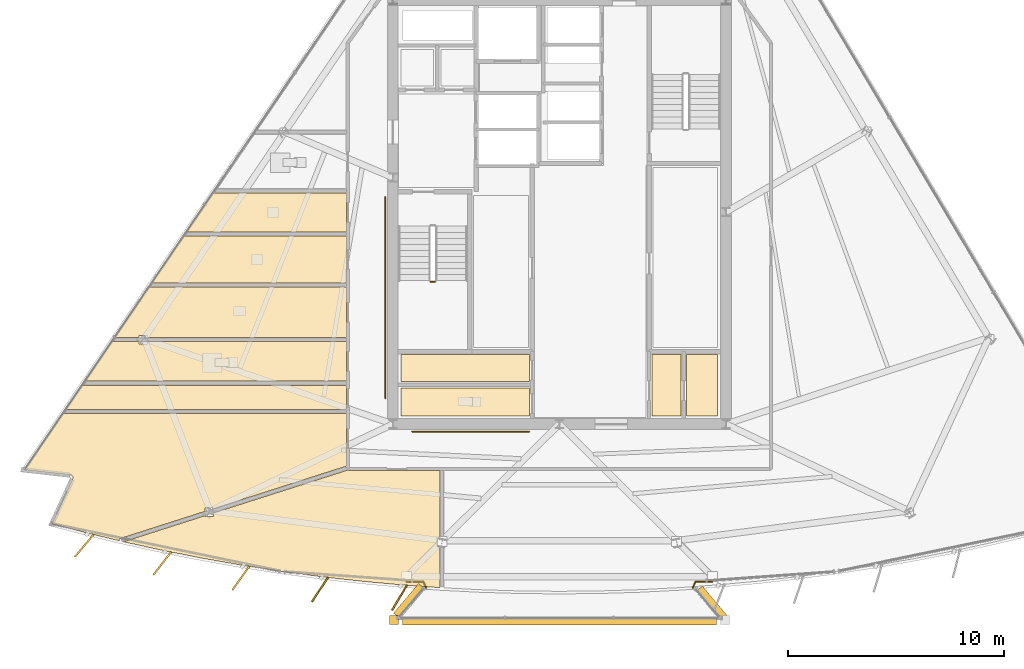
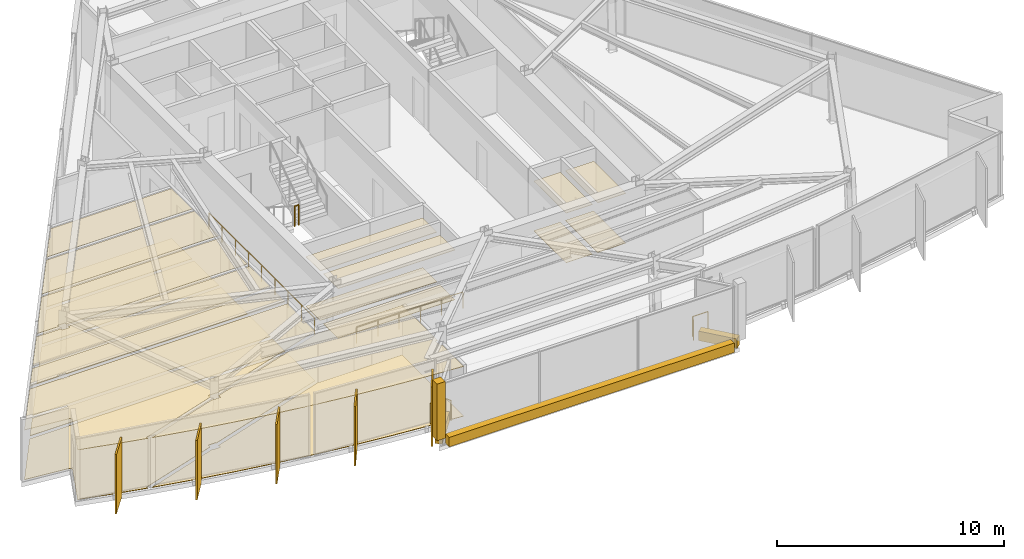
# One storey, part 11 of 14: 26 coverings, 5 railings, 5 shading devices.
"""IFC4 building model written with IfcOpenShell, lengths in metres."""

from ifc_helpers import new_model, si_unit, direction, frame, origin, origin_2d, place, context, subcontext, project, spatial, polyline, rectangle, circle, outline, extrude, material, layer, layer_set, type_object, element, save


model = new_model("IFC4")

# Units and contexts
model_context = context("Model", 3, precision=1e-05, world=origin(), true_north=direction((0.0, 1.0)))
body_context = subcontext(model_context, "Body", "Model", "MODEL_VIEW")
ifc_project = project(units=[si_unit("LENGTHUNIT", "METRE"), si_unit("AREAUNIT", "SQUARE_METRE"), si_unit("VOLUMEUNIT", "CUBIC_METRE"), si_unit("PLANEANGLEUNIT", "RADIAN"), si_unit("MASSUNIT", "GRAM", prefix="KILO")], contexts=[model_context])

# Site, building, storey
site_placement = place(None, origin())
site = spatial("IfcSite", under=ifc_project, at=site_placement, CompositionType="ELEMENT")
building_placement = place(site_placement, origin())
building = spatial("IfcBuilding", under=site, at=building_placement, Name="Savorim Split Tower", CompositionType="ELEMENT")
storey_placement = place(building_placement, frame((0.0, 0.0, 234.300048828125)))
storey = spatial("IfcBuildingStorey", under=building, at=storey_placement, Name="L62", CompositionType="ELEMENT", Elevation=234.300048828125)

# Coverings
ifc_material_1 = material(Name="Mineral Fibre Acoustic Ceiling")
ifc_layer_1 = layer(ifc_material_1, 0.02490234375)
ifc_layer_set_1 = layer_set([ifc_layer_1], Name="COV-CEIL-25")
covering_type_1 = type_object("IfcCoveringType", Name="COV-CEIL-25", PredefinedType="CEILING", material=ifc_layer_set_1)
covering_1_placement = place(storey_placement, frame((0.0, 0.0, 2.669921875)))
element("IfcCovering", 1, at=covering_1_placement, inside=storey, type_object=covering_type_1, Name="L62 Cleaning Store Acoustic Ceiling", PredefinedType="CEILING", context=body_context, shape_type="SweptSolid", body=[
    extrude(outline(polyline([(-7.320068359375, -6.179931640625), (-7.320068359375, -7.43994140625), (-1.3798828125, -7.43994140625), (-1.3798828125, -6.179931640625), (-7.320068359375, -6.179931640625)])), origin(), (0.0, 0.0, 1.0), 0.025146484375),
])
covering_2_placement = place(storey_placement, frame((0.0, 0.0, 2.669921875)))
element("IfcCovering", 2, at=covering_2_placement, inside=storey, type_object=covering_type_1, Name="L62 Public WC Acoustic Ceiling", PredefinedType="CEILING", context=body_context, shape_type="SweptSolid", body=[
    extrude(outline(polyline([(-7.320068359375, -7.719970703125), (-7.320068359375, -9.02001953125), (-1.3798828125, -9.02001953125), (-1.3798828125, -7.719970703125), (-7.320068359375, -7.719970703125)])), origin(), (0.0, 0.0, 1.0), 0.025146484375),
])
covering_3_placement = place(storey_placement, frame((0.0, 0.0, 2.669921875)))
element("IfcCovering", 3, at=covering_3_placement, inside=storey, type_object=covering_type_1, Name="L62 Vending Pantry Acoustic Ceiling", PredefinedType="CEILING", context=body_context, shape_type="SweptSolid", body=[
    extrude(outline(polyline([(4.280029296875, -6.179931640625), (4.280029296875, -9.02001953125), (5.6201171875, -9.02001953125), (5.6201171875, -6.179931640625), (4.280029296875, -6.179931640625)])), origin(), (0.0, 0.0, 1.0), 0.025146484375),
])
covering_4_placement = place(storey_placement, frame((0.0, 0.0, 2.669921875)))
element("IfcCovering", 4, at=covering_4_placement, inside=storey, type_object=covering_type_1, Name="L62 Recycling Chute Room Acoustic Ceiling", PredefinedType="CEILING", context=body_context, shape_type="SweptSolid", body=[
    extrude(outline(polyline([(5.8798828125, -6.179931640625), (5.8798828125, -9.02001953125), (7.320068359375, -9.02001953125), (7.320068359375, -6.179931640625), (5.8798828125, -6.179931640625)])), origin(), (0.0, 0.0, 1.0), 0.025146484375),
])
covering_5_placement = place(storey_placement, frame((0.0, 0.0, 2.669921875)))
element("IfcCovering", 5, at=covering_5_placement, inside=storey, type_object=covering_type_1, Name="L62 Shared Kitchen Acoustic Ceiling", PredefinedType="CEILING", context=body_context, shape_type="SweptSolid", body=[
    extrude(outline(polyline([(-16.013916015625, 1.292236328125), (-17.24560546875, -0.518310546875), (-9.840087890625, -0.518310546875), (-9.840087890625, 1.292236328125), (-16.013916015625, 1.292236328125)])), origin(), (0.0, 0.0, 1.0), 0.025146484375),
])
covering_6_placement = place(storey_placement, frame((0.0, 0.0, 2.669921875)))
element("IfcCovering", 6, at=covering_6_placement, inside=storey, type_object=covering_type_1, Name="L62 Community Laundry Room Acoustic Ceiling", PredefinedType="CEILING", context=body_context, shape_type="SweptSolid", body=[
    extrude(outline(polyline([(-17.374755859375, -0.708251953125), (-18.8466796875, -2.8720703125), (-9.840087890625, -2.8720703125), (-9.840087890625, -0.708251953125), (-17.374755859375, -0.708251953125)])), origin(), (0.0, 0.0, 1.0), 0.025146484375),
])
covering_7_placement = place(storey_placement, frame((0.0, 0.0, 2.669921875)))
element("IfcCovering", 7, at=covering_7_placement, inside=storey, type_object=covering_type_1, Name="L62 Community Laundry Room Acoustic Ceiling", PredefinedType="CEILING", context=body_context, shape_type="SweptSolid", body=[
    extrude(outline(polyline([(-19.052734375, -5.300048828125), (-19.052734375, -5.401123046875), (-9.840087890625, -5.401123046875), (-9.840087890625, -3.06201171875), (-18.97607421875, -3.06201171875), (-20.567138671875, -5.401123046875), (-19.44677734375, -5.401123046875), (-19.44677734375, -5.300048828125), (-19.052734375, -5.300048828125)])), origin(), (0.0, 0.0, 1.0), 0.025146484375),
])
covering_8_placement = place(storey_placement, frame((0.0, 0.0, 2.669921875)))
element("IfcCovering", 8, at=covering_8_placement, inside=storey, type_object=covering_type_1, Name="L62 Shared Bathroom Acoustic Ceiling", PredefinedType="CEILING", context=body_context, shape_type="SweptSolid", body=[
    extrude(outline(polyline([(-20.5712890625, -5.591064453125), (-20.66650390625, -5.591064453125), (-20.66650390625, -5.546875), (-21.938232421875, -7.41650390625), (-9.840087890625, -7.41650390625), (-9.840087890625, -5.591064453125), (-19.052734375, -5.591064453125), (-19.052734375, -5.692138671875), (-19.44677734375, -5.692138671875), (-19.44677734375, -5.591064453125), (-20.5712890625, -5.591064453125)])), origin(), (0.0, 0.0, 1.0), 0.025146484375),
])
covering_9_placement = place(storey_placement, frame((0.0, 0.0, 2.669921875)))
element("IfcCovering", 9, at=covering_9_placement, inside=storey, type_object=covering_type_1, Name="L62 Co-Living Bedroom Acoustic Ceiling", PredefinedType="CEILING", context=body_context, shape_type="SweptSolid", body=[
    extrude(outline(polyline([(-9.840087890625, -8.72509765625), (-9.840087890625, -7.6064453125), (-22.0673828125, -7.6064453125), (-22.82861328125, -8.72509765625), (-9.840087890625, -8.72509765625)])), origin(), (0.0, 0.0, 1.0), 0.025146484375),
])
covering_10_placement = place(storey_placement, frame((0.0, 0.0, 2.669921875)))
element("IfcCovering", 10, at=covering_10_placement, inside=storey, type_object=covering_type_1, Name="L62 Maker Workshop Acoustic Ceiling", PredefinedType="CEILING", context=body_context, shape_type="SweptSolid", body=[
    extrude(outline(polyline([(-22.49072265625, -11.86669921875), (-22.490478515625, -11.878662109375), (-22.491455078125, -11.890625), (-22.49365234375, -11.90234375), (-22.496826171875, -11.913818359375), (-22.50146484375, -11.9248046875), (-23.4599609375, -14.01123046875), (-21.8203125, -14.440185546875), (-20.32763671875, -14.798095703125), (-20.356689453125, -14.706787109375), (-16.3857421875, -13.4365234375), (-16.3857421875, -13.27734375), (-15.99169921875, -13.27734375), (-15.99169921875, -13.310546875), (-9.86279296875, -11.35009765625), (-9.840087890625, -11.3427734375), (-9.840087890625, -8.915283203125), (-22.957763671875, -8.915283203125), (-24.72802734375, -11.517578125), (-22.59716796875, -11.755615234375), (-22.585205078125, -11.757568359375), (-22.57373046875, -11.760498046875), (-22.5625, -11.7646484375), (-22.552001953125, -11.77001953125), (-22.541748046875, -11.7763671875), (-22.5322265625, -11.78369140625), (-22.523681640625, -11.7919921875), (-22.515869140625, -11.80078125), (-22.509033203125, -11.810546875), (-22.503173828125, -11.821044921875), (-22.498291015625, -11.831787109375), (-22.49462890625, -11.84326171875), (-22.4921875, -11.85498046875), (-22.49072265625, -11.86669921875)])), origin(), (0.0, 0.0, 1.0), 0.025146484375),
])
covering_11_placement = place(storey_placement, frame((0.0, 0.0, 2.669921875)))
element("IfcCovering", 11, at=covering_11_placement, inside=storey, type_object=covering_type_1, Name="L62 Communal Lounge Acoustic Ceiling", PredefinedType="CEILING", context=body_context, shape_type="SweptSolid", body=[
    extrude(outline(polyline([(-12.8134765625, -16.21337890625), (-10.992919921875, -16.45703125), (-9.167724609375, -16.663330078125), (-7.3388671875, -16.832275390625), (-5.520751953125, -16.962646484375), (-5.520751953125, -15.05126953125), (-5.622802734375, -15.05126953125), (-5.622802734375, -14.6591796875), (-5.520751953125, -14.6591796875), (-5.520751953125, -11.5400390625), (-9.699951171875, -11.5400390625), (-9.713623046875, -11.539306640625), (-9.727294921875, -11.537353515625), (-9.740478515625, -11.533935546875), (-9.753662109375, -11.529296875), (-9.76611328125, -11.5234375), (-9.771240234375, -11.520263671875), (-15.99169921875, -13.510009765625), (-15.99169921875, -13.669189453125), (-16.3857421875, -13.669189453125), (-16.3857421875, -13.635986328125), (-20.15087890625, -14.84033203125), (-20.0341796875, -14.868408203125), (-18.23974609375, -15.260009765625), (-16.4375, -15.61474609375), (-14.62841796875, -15.9326171875), (-12.8134765625, -16.21337890625)])), origin(), (0.0, 0.0, 1.0), 0.025146484375),
])
ifc_material_2 = material(Name="Porcelain Stoneware Flooring", Category="masonry")
ifc_layer_2 = layer(ifc_material_2, 0.02001953125)
ifc_layer_set_2 = layer_set([ifc_layer_2], Name="COV-FLOR-20")
covering_type_2 = type_object("IfcCoveringType", Name="COV-FLOR-20", PredefinedType="FLOORING", material=ifc_layer_set_2)
covering_12_placement = place(storey_placement, origin())
element("IfcCovering", 12, at=covering_12_placement, inside=storey, type_object=covering_type_2, Name="L62 Cleaning Store Porcelain Flooring", PredefinedType="FLOORING", context=body_context, shape_type="SweptSolid", body=[
    extrude(outline(polyline([(-7.320068359375, -6.179931640625), (-7.320068359375, -7.43994140625), (-1.3798828125, -7.43994140625), (-1.3798828125, -6.179931640625), (-7.320068359375, -6.179931640625)])), origin(), (0.0, 0.0, 1.0), 0.02001953125),
])
covering_13_placement = place(storey_placement, origin())
element("IfcCovering", 13, at=covering_13_placement, inside=storey, type_object=covering_type_2, Name="L62 Public WC Porcelain Flooring", PredefinedType="FLOORING", context=body_context, shape_type="SweptSolid", body=[
    extrude(outline(polyline([(-7.320068359375, -7.719970703125), (-7.320068359375, -9.02001953125), (-1.3798828125, -9.02001953125), (-1.3798828125, -7.719970703125), (-7.320068359375, -7.719970703125)])), origin(), (0.0, 0.0, 1.0), 0.02001953125),
])
covering_14_placement = place(storey_placement, origin())
element("IfcCovering", 14, at=covering_14_placement, inside=storey, type_object=covering_type_2, Name="L62 Vending Pantry Porcelain Flooring", PredefinedType="FLOORING", context=body_context, shape_type="SweptSolid", body=[
    extrude(outline(polyline([(4.280029296875, -6.179931640625), (4.280029296875, -9.02001953125), (5.6201171875, -9.02001953125), (5.6201171875, -6.179931640625), (4.280029296875, -6.179931640625)])), origin(), (0.0, 0.0, 1.0), 0.02001953125),
])
covering_15_placement = place(storey_placement, origin())
element("IfcCovering", 15, at=covering_15_placement, inside=storey, type_object=covering_type_2, Name="L62 Recycling Chute Room Porcelain Flooring", PredefinedType="FLOORING", context=body_context, shape_type="SweptSolid", body=[
    extrude(outline(polyline([(5.8798828125, -6.179931640625), (5.8798828125, -9.02001953125), (7.320068359375, -9.02001953125), (7.320068359375, -6.179931640625), (5.8798828125, -6.179931640625)])), origin(), (0.0, 0.0, 1.0), 0.02001953125),
])
covering_16_placement = place(storey_placement, origin())
element("IfcCovering", 16, at=covering_16_placement, inside=storey, type_object=covering_type_2, Name="L62 Shared Kitchen Porcelain Flooring", PredefinedType="FLOORING", context=body_context, shape_type="SweptSolid", body=[
    extrude(outline(polyline([(-16.013916015625, 1.292236328125), (-17.24560546875, -0.518310546875), (-9.840087890625, -0.518310546875), (-9.840087890625, 1.292236328125), (-16.013916015625, 1.292236328125)])), origin(), (0.0, 0.0, 1.0), 0.02001953125),
])
covering_17_placement = place(storey_placement, origin())
element("IfcCovering", 17, at=covering_17_placement, inside=storey, type_object=covering_type_2, Name="L62 Community Laundry Room Porcelain Flooring", PredefinedType="FLOORING", context=body_context, shape_type="SweptSolid", body=[
    extrude(outline(polyline([(-17.374755859375, -0.708251953125), (-18.8466796875, -2.8720703125), (-9.840087890625, -2.8720703125), (-9.840087890625, -0.708251953125), (-17.374755859375, -0.708251953125)])), origin(), (0.0, 0.0, 1.0), 0.02001953125),
])
covering_18_placement = place(storey_placement, origin())
element("IfcCovering", 18, at=covering_18_placement, inside=storey, type_object=covering_type_2, Name="L62 Community Laundry Room Porcelain Flooring", PredefinedType="FLOORING", context=body_context, shape_type="SweptSolid", body=[
    extrude(outline(polyline([(-19.052734375, -5.300048828125), (-19.052734375, -5.401123046875), (-9.840087890625, -5.401123046875), (-9.840087890625, -3.06201171875), (-18.97607421875, -3.06201171875), (-20.567138671875, -5.401123046875), (-19.44677734375, -5.401123046875), (-19.44677734375, -5.300048828125), (-19.052734375, -5.300048828125)])), origin(), (0.0, 0.0, 1.0), 0.02001953125),
])
covering_19_placement = place(storey_placement, origin())
element("IfcCovering", 19, at=covering_19_placement, inside=storey, type_object=covering_type_2, Name="L62 Shared Bathroom Porcelain Flooring", PredefinedType="FLOORING", context=body_context, shape_type="SweptSolid", body=[
    extrude(outline(polyline([(-20.5712890625, -5.591064453125), (-20.66650390625, -5.591064453125), (-20.66650390625, -5.546875), (-21.938232421875, -7.41650390625), (-9.840087890625, -7.41650390625), (-9.840087890625, -5.591064453125), (-19.052734375, -5.591064453125), (-19.052734375, -5.692138671875), (-19.44677734375, -5.692138671875), (-19.44677734375, -5.591064453125), (-20.5712890625, -5.591064453125)])), origin(), (0.0, 0.0, 1.0), 0.02001953125),
])
covering_20_placement = place(storey_placement, origin())
element("IfcCovering", 20, at=covering_20_placement, inside=storey, type_object=covering_type_2, Name="L62 Co-Living Bedroom Porcelain Flooring", PredefinedType="FLOORING", context=body_context, shape_type="SweptSolid", body=[
    extrude(outline(polyline([(-9.840087890625, -8.72509765625), (-9.840087890625, -7.6064453125), (-22.0673828125, -7.6064453125), (-22.82861328125, -8.72509765625), (-9.840087890625, -8.72509765625)])), origin(), (0.0, 0.0, 1.0), 0.02001953125),
])
covering_21_placement = place(storey_placement, origin())
element("IfcCovering", 21, at=covering_21_placement, inside=storey, type_object=covering_type_2, Name="L62 Maker Workshop Porcelain Flooring", PredefinedType="FLOORING", context=body_context, shape_type="SweptSolid", body=[
    extrude(outline(polyline([(-22.49072265625, -11.86669921875), (-22.490478515625, -11.878662109375), (-22.491455078125, -11.890625), (-22.49365234375, -11.90234375), (-22.496826171875, -11.913818359375), (-22.50146484375, -11.9248046875), (-23.4599609375, -14.01123046875), (-21.8203125, -14.440185546875), (-20.32763671875, -14.798095703125), (-20.356689453125, -14.706787109375), (-16.3857421875, -13.4365234375), (-16.3857421875, -13.27734375), (-15.99169921875, -13.27734375), (-15.99169921875, -13.310546875), (-9.86279296875, -11.35009765625), (-9.840087890625, -11.3427734375), (-9.840087890625, -8.915283203125), (-22.957763671875, -8.915283203125), (-24.72802734375, -11.517578125), (-22.59716796875, -11.755615234375), (-22.585205078125, -11.757568359375), (-22.57373046875, -11.760498046875), (-22.5625, -11.7646484375), (-22.552001953125, -11.77001953125), (-22.541748046875, -11.7763671875), (-22.5322265625, -11.78369140625), (-22.523681640625, -11.7919921875), (-22.515869140625, -11.80078125), (-22.509033203125, -11.810546875), (-22.503173828125, -11.821044921875), (-22.498291015625, -11.831787109375), (-22.49462890625, -11.84326171875), (-22.4921875, -11.85498046875), (-22.49072265625, -11.86669921875)])), origin(), (0.0, 0.0, 1.0), 0.02001953125),
])
covering_22_placement = place(storey_placement, origin())
element("IfcCovering", 22, at=covering_22_placement, inside=storey, type_object=covering_type_2, Name="L62 Communal Lounge Porcelain Flooring", PredefinedType="FLOORING", context=body_context, shape_type="SweptSolid", body=[
    extrude(outline(polyline([(-12.8134765625, -16.21337890625), (-10.992919921875, -16.45703125), (-9.167724609375, -16.663330078125), (-7.3388671875, -16.832275390625), (-5.520751953125, -16.962646484375), (-5.520751953125, -15.05126953125), (-5.622802734375, -15.05126953125), (-5.622802734375, -14.6591796875), (-5.520751953125, -14.6591796875), (-5.520751953125, -11.5400390625), (-9.699951171875, -11.5400390625), (-9.713623046875, -11.539306640625), (-9.727294921875, -11.537353515625), (-9.740478515625, -11.533935546875), (-9.753662109375, -11.529296875), (-9.76611328125, -11.5234375), (-9.771240234375, -11.520263671875), (-15.99169921875, -13.510009765625), (-15.99169921875, -13.669189453125), (-16.3857421875, -13.669189453125), (-16.3857421875, -13.635986328125), (-20.15087890625, -14.84033203125), (-20.0341796875, -14.868408203125), (-18.23974609375, -15.260009765625), (-16.4375, -15.61474609375), (-14.62841796875, -15.9326171875), (-12.8134765625, -16.21337890625)])), origin(), (0.0, 0.0, 1.0), 0.02001953125),
])
ifc_material_3 = material(Name="White Porcelain Architectural Cladding")
ifc_layer_3 = layer(ifc_material_3, 0.139892578125)
ifc_layer_set_3 = layer_set([ifc_layer_3], Name="COV-FRM-WHITE")
covering_type_3 = type_object("IfcCoveringType", Name="COV-FRM-WHITE", PredefinedType="CLADDING", material=ifc_layer_set_3)
covering_23_placement = place(storey_placement, frame((0.0, 0.0, 0.010009765625)))
element("IfcCovering", 23, at=covering_23_placement, inside=storey, type_object=covering_type_3, Name="L62 Cantilevered Lounge White Lower Frame Band W", PredefinedType="CLADDING", context=body_context, shape_type="SweptSolid", body=[
    extrude(outline(polyline([(-6.50634765625, -16.7666015625), (-7.66748046875, -18.142333984375), (-7.40771484375, -18.361572265625), (-6.24658203125, -16.986083984375), (-6.50634765625, -16.7666015625)])), origin(), (0.0, 0.0, 1.0), 0.510009765625),
])
covering_24_placement = place(storey_placement, frame((0.0, 0.0, 0.010009765625)))
element("IfcCovering", 24, at=covering_24_placement, inside=storey, type_object=covering_type_3, Name="L62 Cantilevered Lounge White Lower Frame Band F", PredefinedType="CLADDING", context=body_context, shape_type="SweptSolid", body=[
    extrude(outline(polyline([(-7.254150390625, -18.6875), (7.254150390625, -18.6875), (7.254150390625, -18.34765625), (-7.254150390625, -18.34765625), (-7.254150390625, -18.6875)])), origin(), (0.0, 0.0, 1.0), 0.510009765625),
])
covering_25_placement = place(storey_placement, frame((0.0, 0.0, 0.010009765625)))
element("IfcCovering", 25, at=covering_25_placement, inside=storey, type_object=covering_type_3, Name="L62 Cantilevered Lounge White Lower Frame Band E", PredefinedType="CLADDING", context=body_context, shape_type="SweptSolid", body=[
    extrude(outline(polyline([(7.7705078125, -18.2646484375), (6.609619140625, -16.888916015625), (6.349609375, -17.1083984375), (7.5107421875, -18.48388671875), (7.7705078125, -18.2646484375)])), origin(), (0.0, 0.0, 1.0), 0.510009765625),
])
covering_26_placement = place(storey_placement, frame((0.0, 0.0, 0.5400390625)))
element("IfcCovering", 26, at=covering_26_placement, inside=storey, type_object=covering_type_3, Name="L62 Cantilevered Lounge White Frame Corner Post 1", PredefinedType="CLADDING", context=body_context, shape_type="SweptSolid", body=[
    extrude(outline(polyline([(-7.864013671875, -18.677490234375), (-7.444091796875, -18.677490234375), (-7.444091796875, -18.257568359375), (-7.864013671875, -18.257568359375), (-7.864013671875, -18.677490234375)])), origin(), (0.0, 0.0, 1.0), 3.0498046875),
])

# Railings
ifc_material_4 = material(Name="Galvanised Painted Steel Balustrade", Category="steel")
railing_type_1 = type_object("IfcRailingType", Name="RLG-BAL-1100", PredefinedType="BALUSTRADE", material=ifc_material_4)
railing_1_placement = place(storey_placement, frame((-7.066650390625, -16.697509765625, 0.0)))
element("IfcRailing", 27, at=railing_1_placement, inside=storey, type_object=railing_type_1, Name="L62 Cantilevered Lounge West Edge Closure Guard", PredefinedType="BALUSTRADE", context=body_context, shape_type="SweptSolid", body=[
    extrude(circle(Radius=0.02392578125, at=origin_2d()), frame((0.0, 0.0, 1.076171875), z_axis=(1.0, 0.0, 0.0), x_axis=(0.0, 1.0, 0.0)), (0.0, 0.0, 1.0), 0.780029296875),
    extrude(circle(Radius=0.02392578125, at=origin_2d()), frame((0.780029296875, 0.0, 1.076171875), z_axis=(0.41234329917, -0.911028541611, 0.0), x_axis=(0.911028541611, 0.41234329917, 0.0)), (0.0, 0.0, 1.0), 0.302490234375),
    extrude(circle(Radius=0.02099609375, at=origin_2d()), origin(), (0.0, 0.0, 1.0), 1.052001953125),
    extrude(circle(Radius=0.02099609375, at=origin_2d()), frame((0.780029296875, 0.0, 0.0)), (0.0, 0.0, 1.0), 1.052001953125),
    extrude(circle(Radius=0.02099609375, at=origin_2d()), frame((0.90478515625, -0.275634765625, 0.0)), (0.0, 0.0, 1.0), 1.052001953125),
])
railing_2_placement = place(storey_placement, frame((6.161865234375, -16.97314453125, 0.0)))
element("IfcRailing", 28, at=railing_2_placement, inside=storey, type_object=railing_type_1, Name="L62 Cantilevered Lounge East Edge Closure Guard", PredefinedType="BALUSTRADE", context=body_context, shape_type="SweptSolid", body=[
    extrude(circle(Radius=0.02392578125, at=origin_2d()), frame((0.0, 0.0, 1.076171875), z_axis=(0.41234329917, 0.911028541611, 0.0), x_axis=(-0.911028541611, 0.41234329917, 0.0)), (0.0, 0.0, 1.0), 0.302490234375),
    extrude(circle(Radius=0.02392578125, at=origin_2d()), frame((0.124755859375, 0.275634765625, 1.076171875), z_axis=(1.0, 0.0, 0.0), x_axis=(0.0, 1.0, 0.0)), (0.0, 0.0, 1.0), 0.780029296875),
    extrude(circle(Radius=0.02099609375, at=origin_2d()), origin(), (0.0, 0.0, 1.0), 1.052001953125),
    extrude(circle(Radius=0.02099609375, at=origin_2d()), frame((0.124755859375, 0.275634765625, 0.0)), (0.0, 0.0, 1.0), 1.052001953125),
    extrude(circle(Radius=0.02099609375, at=origin_2d()), frame((0.90478515625, 0.275634765625, 0.0)), (0.0, 0.0, 1.0), 1.052001953125),
])
railing_type_2 = type_object("IfcRailingType", Name="RLG-HR-900", PredefinedType="HANDRAIL", material=ifc_material_4)
railing_3_placement = place(storey_placement, frame((-6.800048828125, -9.75, 0.0)))
element("IfcRailing", 29, at=railing_3_placement, inside=storey, type_object=railing_type_2, Name="L62 Corridor South Accessible Handrail", PredefinedType="HANDRAIL", context=body_context, shape_type="SweptSolid", body=[
    extrude(circle(Radius=0.02392578125, at=origin_2d()), frame((0.0, 0.0, 0.8759765625), z_axis=(1.0, 0.0, 0.0), x_axis=(0.0, 1.0, 0.0)), (0.0, 0.0, 1.0), 5.400146484375),
    extrude(circle(Radius=0.02099609375, at=origin_2d()), origin(), (0.0, 0.0, 1.0), 0.851806640625),
    extrude(circle(Radius=0.02099609375, at=origin_2d()), frame((1.080078125, 0.0, 0.0)), (0.0, 0.0, 1.0), 0.851806640625),
    extrude(circle(Radius=0.02099609375, at=origin_2d()), frame((2.16015625, 0.0, 0.0)), (0.0, 0.0, 1.0), 0.851806640625),
    extrude(circle(Radius=0.02099609375, at=origin_2d()), frame((3.239990234375, 0.0, 0.0)), (0.0, 0.0, 1.0), 0.851806640625),
    extrude(circle(Radius=0.02099609375, at=origin_2d()), frame((4.320068359375, 0.0, 0.0)), (0.0, 0.0, 1.0), 0.851806640625),
    extrude(circle(Radius=0.02099609375, at=origin_2d()), frame((5.400146484375, 0.0, 0.0)), (0.0, 0.0, 1.0), 0.851806640625),
])
railing_4_placement = place(storey_placement, frame((-8.050048828125, -8.199951171875, 0.0)))
element("IfcRailing", 30, at=railing_4_placement, inside=storey, type_object=railing_type_2, Name="L62 Corridor West Accessible Handrail", PredefinedType="HANDRAIL", context=body_context, shape_type="SweptSolid", body=[
    extrude(circle(Radius=0.02392578125, at=origin_2d()), frame((0.0, 0.0, 0.8759765625), z_axis=(0.0, 1.0, 0.0), x_axis=(-1.0, 0.0, 0.0)), (0.0, 0.0, 1.0), 9.300048828125),
    extrude(circle(Radius=0.02099609375, at=origin_2d()), origin(), (0.0, 0.0, 1.0), 0.851806640625),
    extrude(circle(Radius=0.02099609375, at=origin_2d()), frame((0.0, 1.16259765625, 0.0)), (0.0, 0.0, 1.0), 0.851806640625),
    extrude(circle(Radius=0.02099609375, at=origin_2d()), frame((0.0, 2.324951171875, 0.0)), (0.0, 0.0, 1.0), 0.851806640625),
    extrude(circle(Radius=0.02099609375, at=origin_2d()), frame((0.0, 3.487548828125, 0.0)), (0.0, 0.0, 1.0), 0.851806640625),
    extrude(circle(Radius=0.02099609375, at=origin_2d()), frame((0.0, 4.64990234375, 0.0)), (0.0, 0.0, 1.0), 0.851806640625),
    extrude(circle(Radius=0.02099609375, at=origin_2d()), frame((0.0, 5.8125, 0.0)), (0.0, 0.0, 1.0), 0.851806640625),
    extrude(circle(Radius=0.02099609375, at=origin_2d()), frame((0.0, 6.97509765625, 0.0)), (0.0, 0.0, 1.0), 0.851806640625),
    extrude(circle(Radius=0.02099609375, at=origin_2d()), frame((0.0, 8.137451171875, 0.0)), (0.0, 0.0, 1.0), 0.851806640625),
    extrude(circle(Radius=0.02099609375, at=origin_2d()), frame((0.0, 9.300048828125, 0.0)), (0.0, 0.0, 1.0), 0.851806640625),
])
railing_type_3 = type_object("IfcRailingType", Name="RLG-STG-1100", PredefinedType="BALUSTRADE", material=ifc_material_4)
railing_5_placement = place(storey_placement, frame((-5.949951171875, -2.820068359375, 1.800048828125)))
element("IfcRailing", 31, at=railing_5_placement, inside=storey, type_object=railing_type_3, Name="L62 ST-1 stair guard 2", PredefinedType="BALUSTRADE", context=body_context, shape_type="SweptSolid", body=[
    extrude(circle(Radius=0.02392578125, at=origin_2d()), frame((0.0, 0.0, 1.076171875), z_axis=(1.0, 0.0, 0.0), x_axis=(0.0, 1.0, 0.0)), (0.0, 0.0, 1.0), 0.199951171875),
    extrude(circle(Radius=0.02099609375, at=origin_2d()), origin(), (0.0, 0.0, 1.0), 1.052001953125),
    extrude(circle(Radius=0.02099609375, at=origin_2d()), frame((0.199951171875, 0.0, 0.0)), (0.0, 0.0, 1.0), 1.052001953125),
])

# Shading devices
ifc_material_5 = material(Name="Terracotta Ceramic-Coated Aluminium Fin", Category="masonry")
shading_device_type = type_object("IfcShadingDeviceType", Name="SHD-FIN-1360", PredefinedType="USERDEFINED", material=ifc_material_5)
for number, where, z_axis, x_axis, name in (
    (32, (-21.965087890625, -15.018310546875, -0.2001953125), (0.0, 0.0, 1.0), (-0.643719022682, -0.765261928909, 0.0), "L62 Sawtooth Shading Fin 01"),
    (33, (-18.36083984375, -15.843505859375, -0.2001953125), (0.0, 0.0, 1.0), (-0.611868076908, -0.790959832394, 0.0), "L62 Sawtooth Shading Fin 02"),
    (34, (-14.7255859375, -16.520751953125, -0.2001953125), (0.0, 0.0, 1.0), (-0.578993757737, -0.815331974414, 0.0), "L62 Sawtooth Shading Fin 03"),
    (35, (-11.06591796875, -17.048583984375, -0.2001953125), (0.0, 0.0, 1.0), (-0.545148321708, -0.838339613366, 0.0), "L62 Sawtooth Shading Fin 04"),
    (36, (-7.3876953125, -17.42626953125, -0.2001953125), (0.0, 0.0, 1.0), (-0.510391336723, -0.859942255851, 0.0), "L62 Sawtooth Shading Fin 05"),
):
    element("IfcShadingDevice", number, at=place(storey_placement, frame(where, z_axis=z_axis, x_axis=x_axis)), inside=storey, type_object=shading_device_type, Name=name, ObjectType="FIN", PredefinedType="USERDEFINED", context=body_context, shape_type="SweptSolid", body=[
        extrude(rectangle(XDim=1.360107421875, YDim=0.080078125, at=origin_2d()), origin(), (0.0, 0.0, 1.0), 3.199951171875),
    ])

save(model, "model.ifc")
